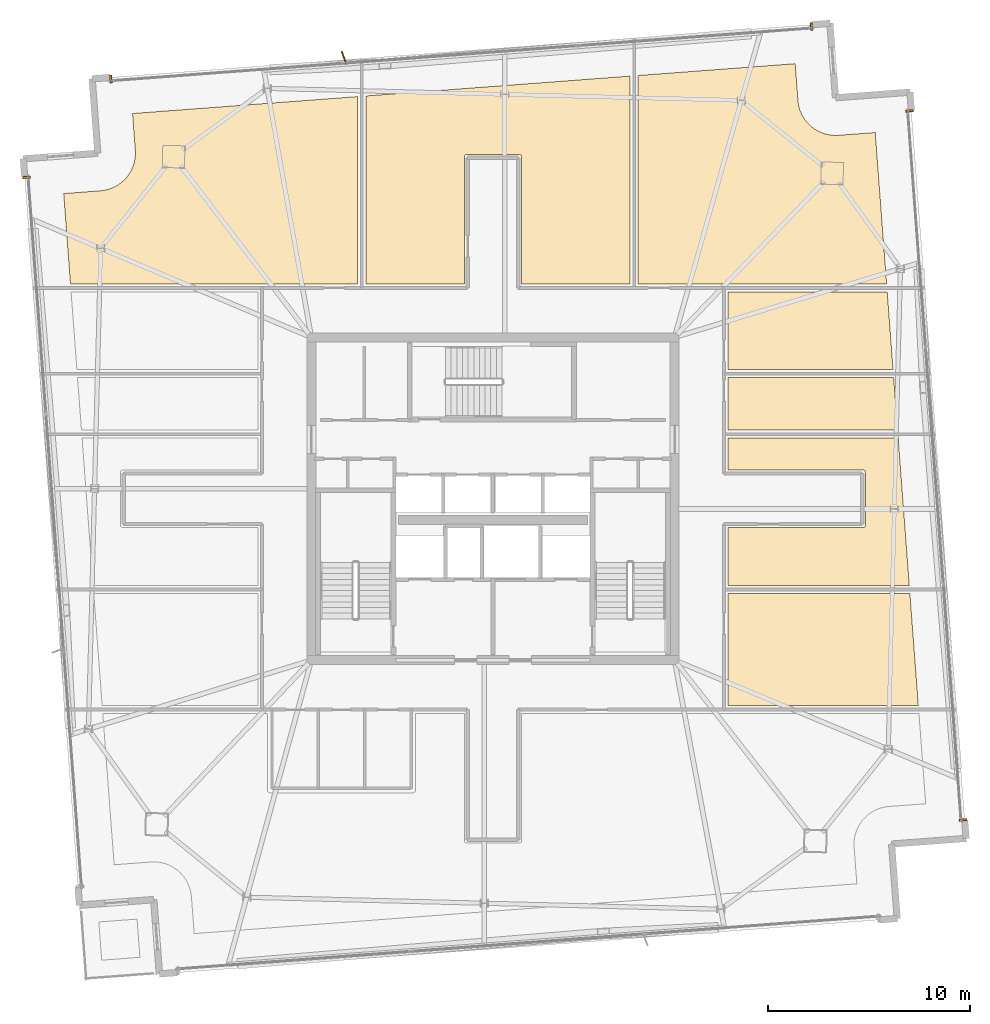
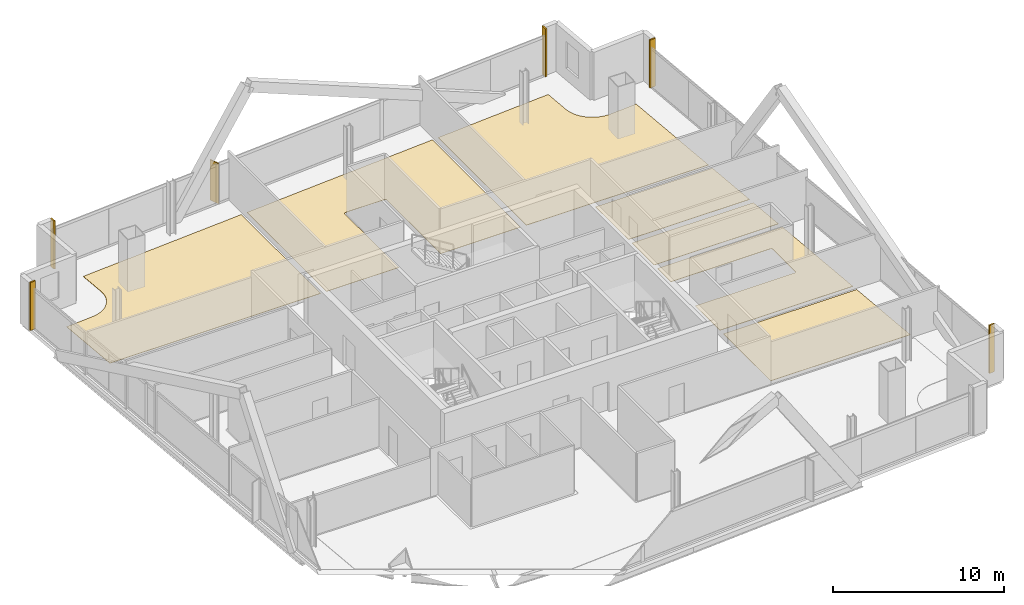
# One storey, part 23 of 23: 12 coverings, 1 shading device.
"""IFC4 building model written with IfcOpenShell, lengths in metres."""

import ifcopenshell
import ifcopenshell.guid

model = None  # the IFC model being written
_history = None  # IfcOwnerHistory: only IFC2X3 demands one
_inside = {}  # id of a spatial element -> (the spatial element, [elements in it])
_under = {}  # id of a project, library or spatial element -> (it, [spatial elements below it])
_declared = {}  # id of a project -> (the project, [libraries it declares])
_typed = {}  # id of a type object -> (the type object, [elements of that type])
_made_of = {}  # id of a material, layer set ... -> (it, [elements and type objects made of it])


def new_model(schema):
    """Start an empty IFC model of exactly this schema.

    Asked for "IFC4X3", IfcOpenShell would pick the latest addendum, in which some entities
    have other attributes; the version numbers below select the first issue.
    IFC2X3 requires an IfcOwnerHistory on every rooted entity: one is made here for all.
    """
    global model, _history
    if schema == "IFC4X3":
        model = ifcopenshell.file(schema_version=(4, 3, 0, 0))
    else:
        model = ifcopenshell.file(schema=schema)
    _inside.clear()
    _under.clear()
    _declared.clear()
    _typed.clear()
    _made_of.clear()
    _history = None
    if model.schema == "IFC2X3":
        org = make("IfcOrganization", Name="unknown")
        user = make(
            "IfcPersonAndOrganization",
            ThePerson=make("IfcPerson", FamilyName="unknown"),
            TheOrganization=org,
        )
        app = make(
            "IfcApplication",
            ApplicationDeveloper=org,
            Version="unknown",
            ApplicationFullName="unknown",
            ApplicationIdentifier="unknown",
        )
        _history = make(
            "IfcOwnerHistory",
            OwningUser=user,
            OwningApplication=app,
            ChangeAction="ADDED",
            CreationDate=0,
        )
    return model


def make(cls, **values):
    """One entity of the class cls with the attributes given. An attribute that is None is left unset."""
    return model.create_entity(
        cls, **{name: value for name, value in values.items() if value is not None}
    )


def rooted(cls, **values):
    """An entity with a GlobalId (a new one), such as an element, a storey or a relation."""
    return make(cls, GlobalId=ifcopenshell.guid.new(), OwnerHistory=_history, **values)


def si_unit(unit_type, name, prefix=None):
    """IfcSIUnit, for example si_unit("LENGTHUNIT", "METRE", prefix="MILLI")."""
    return make("IfcSIUnit", UnitType=unit_type, Prefix=prefix, Name=name)


def assignment(units):
    """IfcUnitAssignment: the units of a project."""
    return None if units is None else make("IfcUnitAssignment", Units=units)


def point(xyz):
    """IfcCartesianPoint."""
    return None if xyz is None else make("IfcCartesianPoint", Coordinates=xyz)


def direction(xyz):
    """IfcDirection."""
    return None if xyz is None else make("IfcDirection", DirectionRatios=xyz)


def frame(location, z_axis=None, x_axis=None):
    """IfcAxis2Placement3D, a coordinate frame: its origin and axes. An axis left out is left unset."""
    return make(
        "IfcAxis2Placement3D",
        Location=point(location),
        Axis=direction(z_axis),
        RefDirection=direction(x_axis),
    )


def frame_2d(location, x_axis=None):
    """IfcAxis2Placement2D, a coordinate frame in the plane: its origin and x axis."""
    return make(
        "IfcAxis2Placement2D", Location=point(location), RefDirection=direction(x_axis)
    )


def origin():
    """The frame at (0, 0, 0) with its axes left unset."""
    return frame((0.0, 0.0, 0.0))


def origin_2d():
    """The frame at (0, 0) in the plane with its x axis left unset."""
    return frame_2d((0.0, 0.0))


def place(relative_to, where):
    """IfcLocalPlacement: puts the frame where relative to a parent placement (None: the world)."""
    return make(
        "IfcLocalPlacement", PlacementRelTo=relative_to, RelativePlacement=where
    )


def context(
    kind, dimensions, precision=None, world=None, true_north=None, identifier=None
):
    """IfcGeometricRepresentationContext, for example the 3D "Model" context."""
    return make(
        "IfcGeometricRepresentationContext",
        ContextIdentifier=identifier,
        ContextType=kind,
        CoordinateSpaceDimension=dimensions,
        Precision=precision,
        WorldCoordinateSystem=world,
        TrueNorth=true_north,
    )


def subcontext(parent, identifier, kind, view, scale=None):
    """IfcGeometricRepresentationSubContext, for example "Body" below "Model"."""
    return make(
        "IfcGeometricRepresentationSubContext",
        ContextIdentifier=identifier,
        ContextType=kind,
        ParentContext=parent,
        TargetScale=scale,
        TargetView=view,
    )


def project(units=None, contexts=None):
    """IfcProject with its units and contexts."""
    return rooted(
        "IfcProject",
        Name="project",
        RepresentationContexts=contexts,
        UnitsInContext=assignment(units),
    )


def spatial(cls, under=None, at=None, **own):
    """A site, building, storey or space (cls), placed at a placement, below another one or the project."""
    s = rooted(cls, ObjectPlacement=at, **own)
    if under is not None:
        _under.setdefault(under.id(), (under, []))[1].append(s)
    return s


def polyline(points):
    """IfcPolyline through the points."""
    return make("IfcPolyline", Points=[point(p) for p in points])


def profile(cls, at=None, kind="AREA", **sizes):
    """A parametric profile (cls). Its sizes go by their IFC names, for example OverallWidth=200.0."""
    return make(cls, ProfileType=kind, Position=at, **sizes)


def rectangle(**sizes):
    """IfcRectangleProfileDef."""
    return profile("IfcRectangleProfileDef", **sizes)


def outline(outer, holes=None, kind="AREA"):
    """IfcArbitraryClosedProfileDef: a profile drawn as a closed curve; with holes, ...WithVoids."""
    if holes is None:
        return make("IfcArbitraryClosedProfileDef", ProfileType=kind, OuterCurve=outer)
    return make(
        "IfcArbitraryProfileDefWithVoids",
        ProfileType=kind,
        OuterCurve=outer,
        InnerCurves=holes,
    )


def extrude(swept, where, along, depth):
    """IfcExtrudedAreaSolid: the profile swept, set in the frame where, extruded along a direction by depth."""
    return make(
        "IfcExtrudedAreaSolid",
        SweptArea=swept,
        Position=where,
        ExtrudedDirection=direction(along),
        Depth=depth,
    )


def shape(context_of_items, identifier, shape_type, items):
    """IfcShapeRepresentation: the items that make up one representation, for example the "Body"."""
    return make(
        "IfcShapeRepresentation",
        ContextOfItems=context_of_items,
        RepresentationIdentifier=identifier,
        RepresentationType=shape_type,
        Items=items,
    )


def source(mapping_origin, context_of_items, identifier, shape_type, items):
    """IfcRepresentationMap: a shape defined once, which mapped items show again and again."""
    return make(
        "IfcRepresentationMap",
        MappingOrigin=mapping_origin,
        MappedRepresentation=shape(context_of_items, identifier, shape_type, items),
    )


def transform(
    local_origin,
    x_axis=None,
    y_axis=None,
    z_axis=None,
    scale=None,
    scale2=None,
    scale3=None,
    uniform=True,
):
    """IfcCartesianTransformationOperator3D, or its non-uniform kind. x_axis, y_axis, z_axis: its Axis1, 2, 3."""
    if uniform:
        return make(
            "IfcCartesianTransformationOperator3D",
            Axis1=direction(x_axis),
            Axis2=direction(y_axis),
            LocalOrigin=point(local_origin),
            Scale=scale,
            Axis3=direction(z_axis),
        )
    return make(
        "IfcCartesianTransformationOperator3DnonUniform",
        Axis1=direction(x_axis),
        Axis2=direction(y_axis),
        LocalOrigin=point(local_origin),
        Scale=scale,
        Axis3=direction(z_axis),
        Scale2=scale2,
        Scale3=scale3,
    )


def mapped(mapping_source, mapping_target):
    """IfcMappedItem: shows the shape of a source again, moved by a transform."""
    return make(
        "IfcMappedItem", MappingSource=mapping_source, MappingTarget=mapping_target
    )


def material(Name=None, Category=None):
    """IfcMaterial."""
    return make("IfcMaterial", Name=Name, Category=Category)


def layer(
    of_material, thickness, ventilated=None, Name=None, Category=None, Priority=None
):
    """IfcMaterialLayer: one layer of a wall or slab, of a material (None: an air gap)."""
    return make(
        "IfcMaterialLayer",
        Material=of_material,
        LayerThickness=thickness,
        IsVentilated=ventilated,
        Name=Name,
        Category=Category,
        Priority=Priority,
    )


def layer_set(layers, Name=None):
    """IfcMaterialLayerSet."""
    return make("IfcMaterialLayerSet", MaterialLayers=layers, LayerSetName=Name)


def made_of(thing, what):
    """Note that an element or type object is made of a material, layer set ...; save() writes the relation."""
    if what is not None:
        _made_of.setdefault(what.id(), (what, []))[1].append(thing)
    return thing


def type_object(cls, material=None, **own):
    """A type object (cls), such as IfcWallType, which elements share."""
    return made_of(rooted(cls, **own), material)


def element(
    cls,
    number,
    at=None,
    inside=None,
    cuts=None,
    type_object=None,
    material=None,
    context=None,
    identifier="Body",
    shape_type=None,
    held_by="IfcProductDefinitionShape",
    body=None,
    shapes=None,
    **own,
):
    """One element of the class cls, such as IfcWall. Its Tag is "e" and its number.

    at: its placement. inside: the storey or other place that contains it. cuts: it is an
    opening in that element (IfcRelVoidsElement). A single representation is given by context,
    identifier, shape_type and body (its items); several are given by shapes. held_by: the class
    of the entity that holds the representations. save() writes the other relations.
    """
    e = rooted(cls, Tag="e%d" % number, ObjectPlacement=at, **own)
    if body is not None:
        shapes = [shape(context, identifier, shape_type, body)]
    if shapes is not None:
        e.Representation = make(held_by, Representations=shapes)
    if inside is not None:
        _inside.setdefault(inside.id(), (inside, []))[1].append(e)
    if cuts is not None:
        rooted(
            "IfcRelVoidsElement", RelatingBuildingElement=cuts, RelatedOpeningElement=e
        )
    if type_object is not None:
        _typed.setdefault(type_object.id(), (type_object, []))[1].append(e)
    return made_of(e, material)


def aggregate(whole, parts):
    """IfcRelAggregates: a whole, such as a stair, and the parts it consists of."""
    return rooted("IfcRelAggregates", RelatingObject=whole, RelatedObjects=parts)


def save(model, path):
    """Write the relations noted so far, then the file.

    IfcRelAggregates (storeys below a building ...), IfcRelContainedInSpatialStructure (elements
    in a storey), IfcRelDefinesByType, IfcRelAssociatesMaterial and IfcRelDeclares: one each for
    every whole, place, type object, material and project.
    """
    for whole, parts in _under.values():
        aggregate(whole, parts)
    for where, things in _inside.values():
        rooted(
            "IfcRelContainedInSpatialStructure",
            RelatedElements=things,
            RelatingStructure=where,
        )
    for kind, things in _typed.values():
        rooted("IfcRelDefinesByType", RelatedObjects=things, RelatingType=kind)
    for what, things in _made_of.values():
        rooted("IfcRelAssociatesMaterial", RelatedObjects=things, RelatingMaterial=what)
    for by, libraries in _declared.values():
        rooted("IfcRelDeclares", RelatingContext=by, RelatedDefinitions=libraries)
    model.write(path)


model = new_model("IFC4")

# Units and contexts
model_context = context("Model", 3, precision=1e-05, world=origin(), true_north=direction((0.0, 1.0)))
body_context = subcontext(model_context, "Body", "Model", "MODEL_VIEW")
ifc_project = project(units=[si_unit("LENGTHUNIT", "METRE"), si_unit("AREAUNIT", "SQUARE_METRE"), si_unit("VOLUMEUNIT", "CUBIC_METRE"), si_unit("PLANEANGLEUNIT", "RADIAN"), si_unit("MASSUNIT", "GRAM", prefix="KILO")], contexts=[model_context])

# Site, building, storey
site_placement = place(None, origin())
site = spatial("IfcSite", under=ifc_project, at=site_placement, CompositionType="ELEMENT")
building_placement = place(site_placement, origin())
building = spatial("IfcBuilding", under=site, at=building_placement, Name="Haldenkirk Collegiate Tower", CompositionType="ELEMENT")
storey_placement = place(building_placement, frame((0.0, 0.0, 343.949951171875)))
storey = spatial("IfcBuildingStorey", under=building, at=storey_placement, Name="L87", CompositionType="ELEMENT", Elevation=343.949951171875)

# Coverings
ifc_material_1 = material(Name="Polished collegiate terrazzo", Category="concrete")
ifc_layer_1 = layer(ifc_material_1, 0.02490234375)
ifc_layer_set_1 = layer_set([ifc_layer_1], Name="Polished collegiate terrazzo")
covering_type_1 = type_object("IfcCoveringType", Name="COV-FLOOR-TERRAZZO", PredefinedType="FLOORING", material=ifc_layer_set_1)
covering_1_placement = place(storey_placement, origin())
element("IfcCovering", 1, at=covering_1_placement, inside=storey, type_object=covering_type_1, Name="L87 academic room finish 02", PredefinedType="FLOORING", context=body_context, shape_type="SweptSolid", body=[
    extrude(outline(polyline([(16.55078125, 41.2646484375), (16.556640625, 41.26513671875), (16.72705078125, 41.28662109375), (16.738525390625, 41.28857421875), (16.906005859375, 41.326416015625), (16.91748046875, 41.32958984375), (17.080322265625, 41.3837890625), (17.09130859375, 41.387939453125), (17.248291015625, 41.457763671875), (17.2587890625, 41.463134765625), (17.408203125, 41.5478515625), (17.41796875, 41.55419921875), (17.558349609375, 41.6533203125), (17.567626953125, 41.66064453125), (17.697509765625, 41.77294921875), (17.7060546875, 41.781005859375), (17.82421875, 41.905517578125), (17.831787109375, 41.91455078125), (17.9375, 42.050048828125), (17.944091796875, 42.059814453125), (18.035888671875, 42.204833984375), (18.041748046875, 42.215087890625), (18.11865234375, 42.36865234375), (18.123291015625, 42.37939453125), (18.184814453125, 42.539794921875), (18.188720703125, 42.55078125), (18.234130859375, 42.716552734375), (18.23681640625, 42.72802734375), (18.265869140625, 42.897216796875), (18.267333984375, 42.908935546875), (18.27978515625, 43.080078125), (18.280029296875, 43.092041015625), (18.275634765625, 43.263671875), (18.275390625, 43.26953125), (18.13818359375, 45.094482421875), (29.300048828125, 45.93359375), (29.300048828125, 36.64990234375), (15.0625, 36.64990234375), (14.725830078125, 41.12744140625), (16.55078125, 41.2646484375)])), origin(), (0.0, 0.0, 1.0), 0.025146484375),
])
covering_2_placement = place(storey_placement, origin())
element("IfcCovering", 2, at=covering_2_placement, inside=storey, type_object=covering_type_1, Name="L87 academic room finish 04", PredefinedType="FLOORING", context=body_context, shape_type="SweptSolid", body=[
    extrude(outline(polyline([(50.980224609375, 47.56396484375), (51.117431640625, 45.739013671875), (51.1181640625, 45.733154296875), (51.139404296875, 45.562744140625), (51.1416015625, 45.55126953125), (51.179443359375, 45.3837890625), (51.1826171875, 45.372314453125), (51.236572265625, 45.20947265625), (51.240966796875, 45.198486328125), (51.310791015625, 45.04150390625), (51.31591796875, 45.031005859375), (51.40087890625, 44.881591796875), (51.406982421875, 44.871826171875), (51.506103515625, 44.7314453125), (51.513427734375, 44.72216796875), (51.6259765625, 44.59228515625), (51.634033203125, 44.583740234375), (51.758544921875, 44.465576171875), (51.767333984375, 44.4580078125), (51.903076171875, 44.352294921875), (51.91259765625, 44.345703125), (52.057861328125, 44.25390625), (52.068115234375, 44.248046875), (52.2216796875, 44.171142578125), (52.232421875, 44.16650390625), (52.392578125, 44.10498046875), (52.40380859375, 44.101318359375), (52.5693359375, 44.0556640625), (52.5810546875, 44.052978515625), (52.750244140625, 44.02392578125), (52.76171875, 44.0224609375), (52.93310546875, 44.010009765625), (52.94482421875, 44.009765625), (53.11669921875, 44.01416015625), (53.12255859375, 44.014404296875), (54.947265625, 44.151611328125), (55.511474609375, 36.64990234375), (43.199951171875, 36.64990234375), (43.199951171875, 46.97900390625), (50.980224609375, 47.56396484375)])), origin(), (0.0, 0.0, 1.0), 0.025146484375),
])
covering_3_placement = place(storey_placement, origin())
element("IfcCovering", 3, at=covering_3_placement, inside=storey, type_object=covering_type_1, Name="L87 academic room finish 10", PredefinedType="FLOORING", context=body_context, shape_type="SweptSolid", body=[
    extrude(outline(polyline([(54.35009765625, 24.580078125), (54.36181640625, 24.58056640625), (54.373291015625, 24.582275390625), (54.384765625, 24.585205078125), (54.39599609375, 24.589111328125), (54.406494140625, 24.59423828125), (54.416748046875, 24.60009765625), (54.426025390625, 24.607177734375), (54.434814453125, 24.614990234375), (54.44287109375, 24.623779296875), (54.44970703125, 24.63330078125), (54.455810546875, 24.643310546875), (54.4609375, 24.654052734375), (54.46484375, 24.665283203125), (54.4677734375, 24.676513671875), (54.469482421875, 24.688232421875), (54.469970703125, 24.699951171875), (54.469970703125, 27.300048828125), (54.469482421875, 27.311767578125), (54.4677734375, 27.323486328125), (54.46484375, 27.334716796875), (54.4609375, 27.345947265625), (54.455810546875, 27.356689453125), (54.44970703125, 27.36669921875), (54.44287109375, 27.376220703125), (54.434814453125, 27.385009765625), (54.426025390625, 27.392822265625), (54.416748046875, 27.39990234375), (54.406494140625, 27.40576171875), (54.39599609375, 27.410888671875), (54.384765625, 27.414794921875), (54.373291015625, 27.417724609375), (54.36181640625, 27.41943359375), (54.35009765625, 27.419921875), (47.64990234375, 27.419921875), (47.64990234375, 29.0), (56.086669921875, 29.0), (56.635498046875, 21.699951171875), (47.64990234375, 21.699951171875), (47.64990234375, 24.580078125), (54.35009765625, 24.580078125)])), origin(), (0.0, 0.0, 1.0), 0.025146484375),
])
covering_4_placement = place(storey_placement, origin())
element("IfcCovering", 4, at=covering_4_placement, inside=storey, type_object=covering_type_1, Name="L87 academic room finish 12", PredefinedType="FLOORING", context=body_context, shape_type="SweptSolid", body=[
    extrude(outline(polyline([(55.830810546875, 32.39990234375), (47.64990234375, 32.39990234375), (47.64990234375, 36.25), (55.54150390625, 36.25), (55.830810546875, 32.39990234375)])), origin(), (0.0, 0.0, 1.0), 0.025146484375),
])
ifc_material_2 = material(Name="Engineered collegiate oak acoustic flooring", Category="wood")
ifc_layer_2 = layer(ifc_material_2, 0.02197265625)
ifc_layer_set_2 = layer_set([ifc_layer_2], Name="Engineered collegiate oak acoustic flooring")
covering_type_2 = type_object("IfcCoveringType", Name="COV-FLOOR-TIMBER", PredefinedType="FLOORING", material=ifc_layer_set_2)
covering_5_placement = place(storey_placement, origin())
element("IfcCovering", 5, at=covering_5_placement, inside=storey, type_object=covering_type_2, Name="L87 academic room finish 03", PredefinedType="FLOORING", context=body_context, shape_type="SweptSolid", body=[
    extrude(outline(polyline([(42.800048828125, 46.94873046875), (42.800048828125, 36.64990234375), (37.419921875, 36.64990234375), (37.419921875, 42.949951171875), (37.41943359375, 42.9619140625), (37.417724609375, 42.973388671875), (37.414794921875, 42.98486328125), (37.410888671875, 42.995849609375), (37.40576171875, 43.006591796875), (37.39990234375, 43.0166015625), (37.392822265625, 43.026123046875), (37.385009765625, 43.034912109375), (37.376220703125, 43.042724609375), (37.36669921875, 43.0498046875), (37.356689453125, 43.055908203125), (37.345947265625, 43.060791015625), (37.334716796875, 43.064697265625), (37.323486328125, 43.067626953125), (37.311767578125, 43.0693359375), (37.300048828125, 43.070068359375), (34.699951171875, 43.070068359375), (34.688232421875, 43.0693359375), (34.676513671875, 43.067626953125), (34.665283203125, 43.064697265625), (34.654052734375, 43.060791015625), (34.643310546875, 43.055908203125), (34.63330078125, 43.0498046875), (34.623779296875, 43.042724609375), (34.614990234375, 43.034912109375), (34.607177734375, 43.026123046875), (34.60009765625, 43.0166015625), (34.59423828125, 43.006591796875), (34.589111328125, 42.995849609375), (34.585205078125, 42.98486328125), (34.582275390625, 42.973388671875), (34.58056640625, 42.9619140625), (34.580078125, 42.949951171875), (34.580078125, 36.64990234375), (29.699951171875, 36.64990234375), (29.699951171875, 45.9638671875), (42.800048828125, 46.94873046875)])), origin(), (0.0, 0.0, 1.0), 0.02197265625),
])
covering_6_placement = place(storey_placement, origin())
element("IfcCovering", 6, at=covering_6_placement, inside=storey, type_object=covering_type_2, Name="L87 academic room finish 09", PredefinedType="FLOORING", context=body_context, shape_type="SweptSolid", body=[
    extrude(outline(polyline([(57.0830078125, 15.75), (47.64990234375, 15.75), (47.64990234375, 21.300048828125), (56.66552734375, 21.300048828125), (57.0830078125, 15.75)])), origin(), (0.0, 0.0, 1.0), 0.02197265625),
])
covering_7_placement = place(storey_placement, origin())
element("IfcCovering", 7, at=covering_7_placement, inside=storey, type_object=covering_type_2, Name="L87 academic room finish 11", PredefinedType="FLOORING", context=body_context, shape_type="SweptSolid", body=[
    extrude(outline(polyline([(56.056396484375, 29.39990234375), (47.64990234375, 29.39990234375), (47.64990234375, 32.0), (55.861083984375, 32.0), (56.056396484375, 29.39990234375)])), origin(), (0.0, 0.0, 1.0), 0.02197265625),
])
ifc_material_3 = material(Name="Anodised architectural bronze aluminium", Category="aluminium")
ifc_layer_3 = layer(ifc_material_3, 0.06005859375)
ifc_layer_set_3 = layer_set([ifc_layer_3], Name="Anodised architectural bronze aluminium")
covering_type_3 = type_object("IfcCoveringType", Name="COV-CLAD-BRONZE-60", PredefinedType="CLADDING", material=ifc_layer_set_3)
shared_shape_1 = source(origin(), body_context, "Body", "SweptSolid", [
    extrude(rectangle(XDim=0.10009765625, YDim=0.3798828125, at=origin_2d()), origin(), (0.0, 0.0, 1.0), 3.429931640625),
])
for number, where, z_axis, x_axis, name in (
    (8, (56.65185546875, 45.222412109375, 0.0), (0.0, 0.0, 1.0), (0.074978726826, -0.997185133525, 0.0), "L87 recessed curtain-wall bronze jamb closure SJL"),
    (9, (59.294189453125, 10.081787109375, 0.0), (0.0, 0.0, 1.0), (0.074978726826, -0.997185133525, 0.0), "L87 recessed curtain-wall bronze jamb closure SJR"),
    (10, (17.0673828125, 46.799072265625, 0.0), (0.0, 0.0, 1.0), (0.997185133525, 0.074978726826, 0.0), "L87 recessed curtain-wall bronze jamb closure EJL"),
    (11, (51.7841796875, 49.409423828125, 0.0), (0.0, 0.0, 1.0), (0.997185133525, 0.074978726826, 0.0), "L87 recessed curtain-wall bronze jamb closure EJR"),
    (12, (12.88037109375, 41.931396484375, 0.0), (0.0, 0.0, 1.0), (-0.074978726826, 0.997185133525, 0.0), "L87 recessed curtain-wall bronze jamb closure NJR"),
):
    element("IfcCovering", number, at=place(storey_placement, frame(where, z_axis=z_axis, x_axis=x_axis)), inside=storey, type_object=covering_type_3, Name=name, PredefinedType="CLADDING", context=body_context, shape_type="MappedRepresentation", body=[
        mapped(shared_shape_1, transform((0.0, 0.0, 0.0), x_axis=(1.0, 0.0, 0.0), y_axis=(0.0, 1.0, 0.0), z_axis=(0.0, 0.0, 1.0), scale=1.0)),
    ])

# Shading device
ifc_layer_4 = layer(ifc_material_3, 0.06494140625)
ifc_layer_set_4 = layer_set([ifc_layer_4], Name="Anodised architectural bronze aluminium")
shading_device_type = type_object("IfcShadingDeviceType", Name="SHD-FIN-BRONZE-620", PredefinedType="USERDEFINED", material=ifc_layer_set_4)
shared_shape_2 = source(origin(), body_context, "Body", "SweptSolid", [
    extrude(rectangle(XDim=0.6201171875, YDim=0.06494140625, at=origin_2d()), origin(), (0.0, 0.0, 1.0), 2.887939453125),
])
shading_device_placement = place(storey_placement, frame((28.6142578125, 47.872802734375, 0.0), z_axis=(0.0, 0.0, 1.0), x_axis=(-0.346935651573, 0.937888934612, 0.0)))
element("IfcShadingDevice", 13, at=shading_device_placement, inside=storey, type_object=shading_device_type, Name="L87 folded bronze solar fin 1", ObjectType="FIN", PredefinedType="USERDEFINED", context=body_context, shape_type="MappedRepresentation", body=[
    mapped(shared_shape_2, transform((0.0, 0.0, 0.0), x_axis=(1.0, 0.0, 0.0), y_axis=(0.0, 1.0, 0.0), z_axis=(0.0, 0.0, 1.0), scale=1.0)),
])

save(model, "model.ifc")
